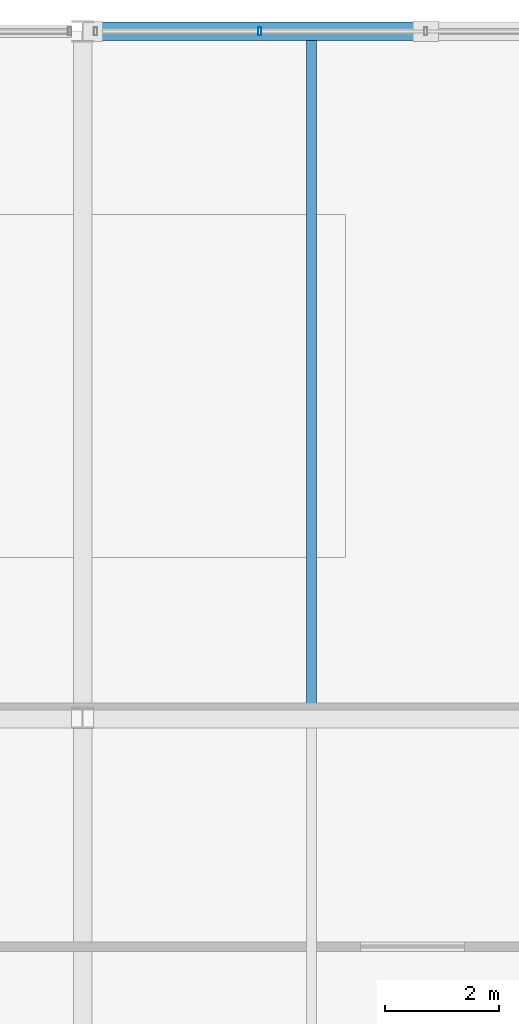
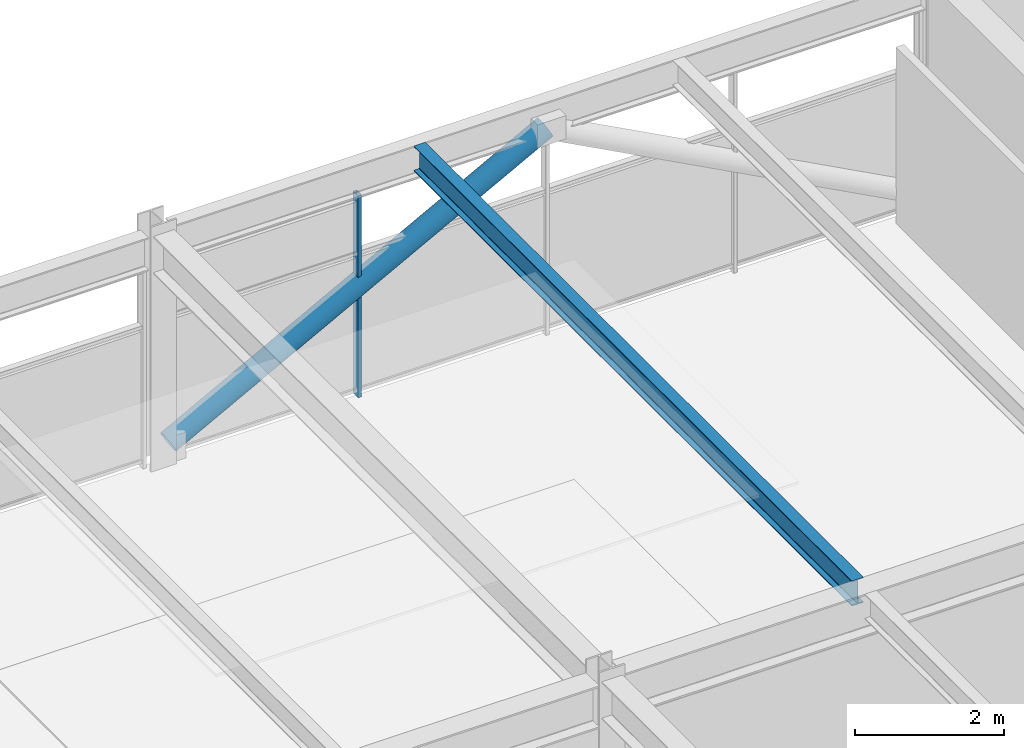
# One storey, part 19 of 52: 2 members, 1 beam, 1 element without a shape of its own.
"""IFC4 building model written with IfcOpenShell, lengths in metres."""

from ifc_helpers import new_model, si_unit, direction, frame, origin, origin_2d, place, context, subcontext, project, spatial, hollow_rectangle, hollow_circle, i_section, extrude, material, material_profile, profile_set, type_object, element, aggregate, save


model = new_model("IFC4")

# Units and contexts
model_context = context("Model", 3, precision=1e-05, world=origin(), true_north=direction((0.0, 1.0)))
body_context = subcontext(model_context, "Body", "Model", "MODEL_VIEW")
ifc_project = project(units=[si_unit("LENGTHUNIT", "METRE"), si_unit("AREAUNIT", "SQUARE_METRE"), si_unit("VOLUMEUNIT", "CUBIC_METRE"), si_unit("PLANEANGLEUNIT", "RADIAN"), si_unit("MASSUNIT", "GRAM", prefix="KILO")], contexts=[model_context])

# Site, building, storey
site_placement = place(None, origin())
site = spatial("IfcSite", under=ifc_project, at=site_placement, CompositionType="ELEMENT")
building_placement = place(site_placement, origin())
building = spatial("IfcBuilding", under=site, at=building_placement, Name="Girod Span Mobility Hub", CompositionType="ELEMENT")
storey_placement = place(building_placement, frame((0.0, 0.0, 45.60009765625)))
storey = spatial("IfcBuildingStorey", under=building, at=storey_placement, Name="L11", CompositionType="ELEMENT", Elevation=45.60009765625)

# Beam
ifc_material_1 = material(Name="Steel A992 Grade 50", Category="steel")
ifc_material_profile_1 = material_profile(ifc_material_1, i_section(OverallWidth=0.178955078125, OverallDepth=0.409912109375, WebThickness=0.0087890625, FlangeThickness=0.014404296875, FilletRadius=0.012939453125, at=origin_2d()), Name="W16X45")
ifc_profile_set_1 = profile_set([ifc_material_profile_1], Name="Steel A992 Grade 50")
beam_type = type_object("IfcBeamType", Name="BM-STL-W16X45", PredefinedType="BEAM", material=ifc_profile_set_1)
beam_placement = place(storey_placement, frame((40.0, 57.174560546875, 3.635009765625), z_axis=(0.0, 1.0, 0.0), x_axis=(-1.0, 0.0, 0.0)))
element("IfcBeam", 1, at=beam_placement, inside=storey, type_object=beam_type, Name="Composite Floorbeam 4/E-1 L11", PredefinedType="BEAM", context=body_context, shape_type="SweptSolid", body=[
    extrude(i_section(OverallWidth=0.178955078125, OverallDepth=0.409912109375, WebThickness=0.0087890625, FlangeThickness=0.014404296875, FilletRadius=0.012939453125, at=origin_2d()), origin(), (0.0, 0.0, 1.0), 11.722412109375),
])

# Curtain wall, member
ifc_material_2 = material(Name="Thermally Broken Anodised Aluminium", Category="aluminium")
curtain_wall_type = type_object("IfcCurtainWallType", Name="CW-1161X330", PredefinedType="USERDEFINED", material=ifc_material_2)
curtain_wall_placement = place(storey_placement, origin())
curtain_wall = element("IfcCurtainWall", 2, at=curtain_wall_placement, inside=storey, type_object=curtain_wall_type, Name="Unitised Curtain Wall CW-L11-N04 L11", ObjectType="UNITISED CURTAIN WALL", PredefinedType="USERDEFINED")
ifc_material_3 = material(Name="Thermally Broken Anodised Aluminium", Category="aluminium")
ifc_material_profile_2 = material_profile(ifc_material_3, hollow_rectangle(XDim=0.139892578125, YDim=0.06005859375, WallThickness=0.00341796875, InnerFilletRadius=0.00341796875, OuterFilletRadius=0.007080078125, at=origin_2d()), Name="CW-ML-60X140")
ifc_profile_set_2 = profile_set([ifc_material_profile_2], Name="Thermally Broken Anodised Aluminium")
member_type_1 = type_object("IfcMemberType", Name="CWM-ML-4", PredefinedType="MULLION", material=ifc_profile_set_2)
member_1_placement = place(storey_placement, frame((39.096923828125, 69.0, 0.0), z_axis=(0.0, 0.0, 1.0), x_axis=(0.0, 1.0, 0.0)))
member_1 = element("IfcMember", 3, at=member_1_placement, type_object=member_type_1, Name="Curtain Wall Mullion CW-L11-N04-M1", PredefinedType="MULLION", context=body_context, shape_type="SweptSolid", body=[
    extrude(hollow_rectangle(XDim=0.139892578125, YDim=0.06005859375, WallThickness=0.00341796875, InnerFilletRadius=0.00341796875, OuterFilletRadius=0.007080078125, at=origin_2d()), origin(), (0.0, 0.0, 1.0), 3.2958984375),
])
aggregate(curtain_wall, [member_1])

# Member
ifc_material_4 = material(Name="Steel HSS A500 Grade C", Category="steel")
ifc_material_profile_3 = material_profile(ifc_material_4, hollow_circle(Radius=0.162109375, WallThickness=0.01171875, at=origin_2d()), Name="HSS324X12.7")
ifc_profile_set_3 = profile_set([ifc_material_profile_3], Name="Steel HSS A500 Grade C")
member_type_2 = type_object("IfcMemberType", Name="MB-BR-HSS324", PredefinedType="BRACE", material=ifc_profile_set_3)
member_2_placement = place(storey_placement, frame((36.177001953125, 69.0, 0.25), z_axis=(0.882330411292, 0.0, 0.470630476393), x_axis=(0.0, 1.0, 0.0)))
element("IfcMember", 4, at=member_2_placement, inside=storey, type_object=member_type_2, Name="Upper Diagrid Brace 4/F-L L11", PredefinedType="BRACE", context=body_context, shape_type="SweptSolid", body=[
    extrude(hollow_circle(Radius=0.162109375, WallThickness=0.01171875, at=origin_2d()), origin(), (0.0, 0.0, 1.0), 6.599609375),
])

save(model, "model.ifc")
